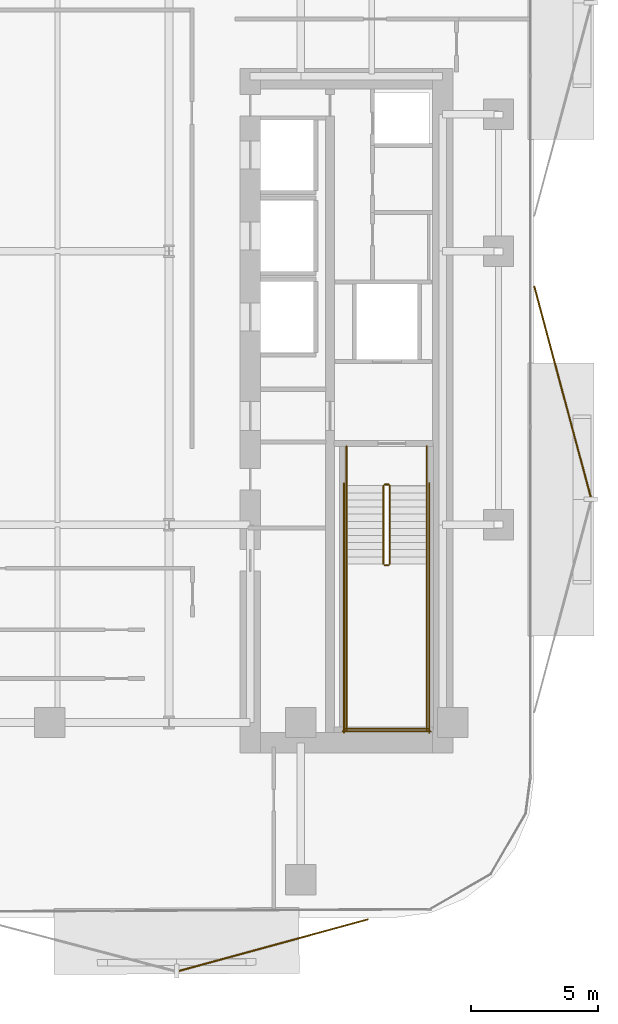
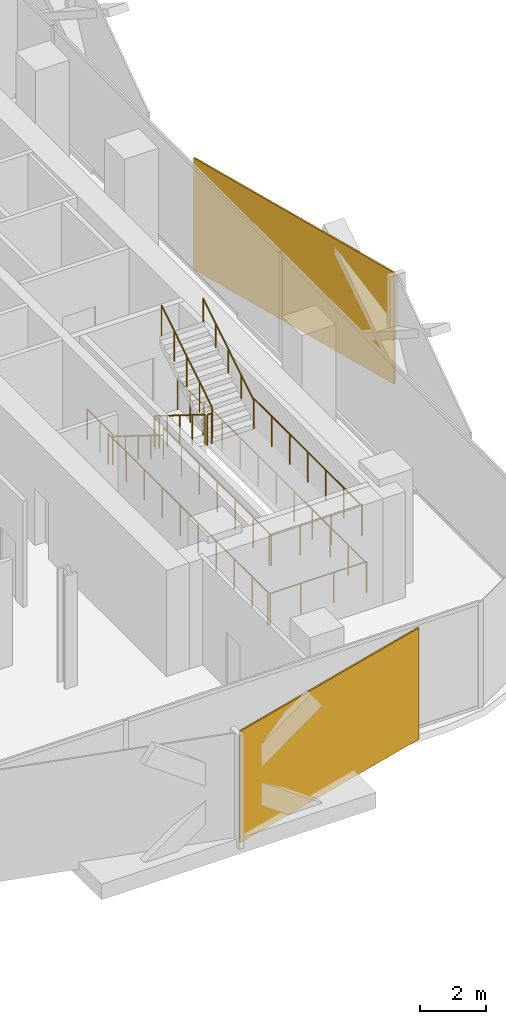
# One storey, part 13 of 15: 14 railings, 2 coverings.
"""IFC4 building model written with IfcOpenShell, lengths in metres."""

from ifc_helpers import new_model, si_unit, direction, frame, origin, origin_2d, place, context, subcontext, project, spatial, rectangle, circle, extrude, material, layer, layer_set, type_object, element, save


model = new_model("IFC4")

# Units and contexts
model_context = context("Model", 3, precision=1e-05, world=origin(), true_north=direction((0.0, 1.0)))
body_context = subcontext(model_context, "Body", "Model", "MODEL_VIEW")
ifc_project = project(units=[si_unit("LENGTHUNIT", "METRE"), si_unit("AREAUNIT", "SQUARE_METRE"), si_unit("VOLUMEUNIT", "CUBIC_METRE"), si_unit("PLANEANGLEUNIT", "RADIAN"), si_unit("MASSUNIT", "GRAM", prefix="KILO")], contexts=[model_context])

# Site, building, storey
site_placement = place(None, origin())
site = spatial("IfcSite", under=ifc_project, at=site_placement, CompositionType="ELEMENT")
building_placement = place(site_placement, origin())
building = spatial("IfcBuilding", under=site, at=building_placement, Name="Khairoan Windgate Tower", CompositionType="ELEMENT")
storey_placement = place(building_placement, frame((0.0, 0.0, 122.60009765625)))
storey = spatial("IfcBuildingStorey", under=building, at=storey_placement, Name="L28", CompositionType="ELEMENT", Elevation=122.60009765625)

# Coverings
ifc_material_1 = material(Name="Anodised Bronze Aluminium 6063-T6", Category="aluminium")
ifc_layer = layer(ifc_material_1, 0.054931640625, Name="Anodised Bronze Aluminium 6063-T6")
ifc_layer_set = layer_set([ifc_layer], Name="Anodised Bronze Aluminium 6063-T6")
covering_type = type_object("IfcCoveringType", Name="Perforated Bronze-Ceramic Folded Solar Screen Cladding BSC-1", PredefinedType="CLADDING", material=ifc_layer_set)
covering_1_placement = place(storey_placement, frame((13.326904296875, -27.384765625, -0.10009765625), z_axis=(0.0, 0.0, 1.0), x_axis=(-0.964649468762, -0.263536339841, 0.0)))
element("IfcCovering", 1, at=covering_1_placement, inside=storey, type_object=covering_type, Name="L28 Folded Bronze Solar Screen Facet 169L", PredefinedType="CLADDING", context=body_context, shape_type="SweptSolid", body=[
    extrude(rectangle(XDim=7.739013671875, YDim=0.054931640625, at=origin_2d()), origin(), (0.0, 0.0, 1.0), 4.139892578125),
])
covering_2_placement = place(storey_placement, frame((24.724609375, -5.542236328125, -0.10009765625), z_axis=(0.0, 0.0, 1.0), x_axis=(0.258819045103, -0.965925826289, 0.0)))
element("IfcCovering", 2, at=covering_2_placement, inside=storey, type_object=covering_type, Name="L28 Folded Bronze Solar Screen Facet 176L", PredefinedType="CLADDING", context=body_context, shape_type="SweptSolid", body=[
    extrude(rectangle(XDim=8.6201171875, YDim=0.054931640625, at=origin_2d()), origin(), (0.0, 0.0, 1.0), 4.139892578125),
])

# Railings
ifc_material_2 = material(Name="Anodised Bronze Aluminium 6063-T6", Category="aluminium")
railing_type_1 = type_object("IfcRailingType", Name="Stair Wall Handrail SHR-900", PredefinedType="HANDRAIL", material=ifc_material_2)
railing_1_placement = place(storey_placement, frame((16.199951171875, -9.260009765625, 0.1748046875)))
element("IfcRailing", 3, at=railing_1_placement, inside=storey, type_object=railing_type_1, Name="L28 ST1 stair handrail 1", PredefinedType="HANDRAIL", context=body_context, shape_type="SweptSolid", body=[
    extrude(circle(Radius=0.02392578125, at=origin_2d()), frame((0.0, 0.0, 0.8759765625), z_axis=(0.0, -0.847998304005, 0.529998940003), x_axis=(1.0, 0.0, 0.0)), (0.0, 0.0, 1.0), 3.632080078125),
    extrude(circle(Radius=0.02099609375, at=origin_2d()), origin(), (0.0, 0.0, 1.0), 0.851806640625),
    extrude(circle(Radius=0.02099609375, at=origin_2d()), frame((0.0, -0.77001953125, 0.481201171875)), (0.0, 0.0, 1.0), 0.851806640625),
    extrude(circle(Radius=0.02099609375, at=origin_2d()), frame((0.0, -1.5400390625, 0.96240234375)), (0.0, 0.0, 1.0), 0.851806640625),
    extrude(circle(Radius=0.02099609375, at=origin_2d()), frame((0.0, -2.31005859375, 1.44384765625)), (0.0, 0.0, 1.0), 0.851806640625),
    extrude(circle(Radius=0.02099609375, at=origin_2d()), frame((0.0, -3.080078125, 1.925048828125)), (0.0, 0.0, 1.0), 0.851806640625),
])
railing_2_placement = place(storey_placement, frame((19.3701171875, -12.340087890625, 2.27490234375)))
element("IfcRailing", 4, at=railing_2_placement, inside=storey, type_object=railing_type_1, Name="L28 ST1 stair handrail 2", PredefinedType="HANDRAIL", context=body_context, shape_type="SweptSolid", body=[
    extrude(circle(Radius=0.02392578125, at=origin_2d()), frame((0.0, 0.0, 0.8759765625), z_axis=(0.0, 0.847998304005, 0.529998940003), x_axis=(-1.0, 0.0, 0.0)), (0.0, 0.0, 1.0), 3.632080078125),
    extrude(circle(Radius=0.02099609375, at=origin_2d()), origin(), (0.0, 0.0, 1.0), 0.851806640625),
    extrude(circle(Radius=0.02099609375, at=origin_2d()), frame((0.0, 0.77001953125, 0.481201171875)), (0.0, 0.0, 1.0), 0.851806640625),
    extrude(circle(Radius=0.02099609375, at=origin_2d()), frame((0.0, 1.5400390625, 0.96240234375)), (0.0, 0.0, 1.0), 0.851806640625),
    extrude(circle(Radius=0.02099609375, at=origin_2d()), frame((0.0, 2.31005859375, 1.44384765625)), (0.0, 0.0, 1.0), 0.851806640625),
    extrude(circle(Radius=0.02099609375, at=origin_2d()), frame((0.0, 3.080078125, 1.925048828125)), (0.0, 0.0, 1.0), 0.851806640625),
])
ifc_material_3 = material(Name="Steel S355", Category="steel")
railing_type_2 = type_object("IfcRailingType", Name="Stairwell Safety Guardrail SGR-1150", PredefinedType="GUARDRAIL", material=ifc_material_3)
railing_3_placement = place(storey_placement, frame((17.659912109375, -9.260009765625, 0.1748046875)))
element("IfcRailing", 5, at=railing_3_placement, inside=storey, type_object=railing_type_2, Name="L28 ST1 stair guard 1", PredefinedType="GUARDRAIL", context=body_context, shape_type="SweptSolid", body=[
    extrude(circle(Radius=0.02392578125, at=origin_2d()), frame((0.0, 0.0, 1.1259765625), z_axis=(0.0, -0.847998304005, 0.529998940003), x_axis=(1.0, 0.0, 0.0)), (0.0, 0.0, 1.0), 3.632080078125),
    extrude(circle(Radius=0.02099609375, at=origin_2d()), origin(), (0.0, 0.0, 1.0), 1.101806640625),
    extrude(circle(Radius=0.02099609375, at=origin_2d()), frame((0.0, -0.77001953125, 0.481201171875)), (0.0, 0.0, 1.0), 1.101806640625),
    extrude(circle(Radius=0.02099609375, at=origin_2d()), frame((0.0, -1.5400390625, 0.96240234375)), (0.0, 0.0, 1.0), 1.101806640625),
    extrude(circle(Radius=0.02099609375, at=origin_2d()), frame((0.0, -2.31005859375, 1.44384765625)), (0.0, 0.0, 1.0), 1.101806640625),
    extrude(circle(Radius=0.02099609375, at=origin_2d()), frame((0.0, -3.080078125, 1.925048828125)), (0.0, 0.0, 1.0), 1.101806640625),
])
railing_4_placement = place(storey_placement, frame((17.7099609375, -12.389892578125, 2.099853515625)))
element("IfcRailing", 6, at=railing_4_placement, inside=storey, type_object=railing_type_2, Name="L28 ST1 stair guard 2", PredefinedType="GUARDRAIL", context=body_context, shape_type="SweptSolid", body=[
    extrude(circle(Radius=0.02392578125, at=origin_2d()), frame((0.0, 0.0, 1.1259765625), z_axis=(1.0, 0.0, 0.0), x_axis=(0.0, 1.0, 0.0)), (0.0, 0.0, 1.0), 0.150146484375),
    extrude(circle(Radius=0.02099609375, at=origin_2d()), origin(), (0.0, 0.0, 1.0), 1.101806640625),
    extrude(circle(Radius=0.02099609375, at=origin_2d()), frame((0.150146484375, 0.0, 0.0)), (0.0, 0.0, 1.0), 1.101806640625),
])
for number, where, name in (
    (7, (16.199951171875, -12.340087890625, 2.099853515625), "L28 ST1 stair guard 3"),
    (8, (19.3701171875, -12.340087890625, 2.099853515625), "L28 ST1 stair guard 4"),
):
    element("IfcRailing", number, at=place(storey_placement, frame(where)), inside=storey, type_object=railing_type_2, Name=name, PredefinedType="GUARDRAIL", context=body_context, shape_type="SweptSolid", body=[
        extrude(circle(Radius=0.02392578125, at=origin_2d()), frame((0.0, 0.0, 1.1259765625), z_axis=(0.0, -1.0, 0.0), x_axis=(1.0, 0.0, 0.0)), (0.0, 0.0, 1.0), 6.559814453125),
        extrude(circle(Radius=0.02099609375, at=origin_2d()), origin(), (0.0, 0.0, 1.0), 1.101806640625),
        extrude(circle(Radius=0.02099609375, at=origin_2d()), frame((0.0, -1.09326171875, 0.0)), (0.0, 0.0, 1.0), 1.101806640625),
        extrude(circle(Radius=0.02099609375, at=origin_2d()), frame((0.0, -2.1865234375, 0.0)), (0.0, 0.0, 1.0), 1.101806640625),
        extrude(circle(Radius=0.02099609375, at=origin_2d()), frame((0.0, -3.27978515625, 0.0)), (0.0, 0.0, 1.0), 1.101806640625),
        extrude(circle(Radius=0.02099609375, at=origin_2d()), frame((0.0, -4.373291015625, 0.0)), (0.0, 0.0, 1.0), 1.101806640625),
        extrude(circle(Radius=0.02099609375, at=origin_2d()), frame((0.0, -5.466552734375, 0.0)), (0.0, 0.0, 1.0), 1.101806640625),
        extrude(circle(Radius=0.02099609375, at=origin_2d()), frame((0.0, -6.559814453125, 0.0)), (0.0, 0.0, 1.0), 1.101806640625),
    ])
railing_5_placement = place(storey_placement, frame((16.14990234375, -18.85009765625, 2.099853515625)))
element("IfcRailing", 9, at=railing_5_placement, inside=storey, type_object=railing_type_2, Name="L28 ST1 stair guard 5", PredefinedType="GUARDRAIL", context=body_context, shape_type="SweptSolid", body=[
    extrude(circle(Radius=0.02392578125, at=origin_2d()), frame((0.0, 0.0, 1.1259765625), z_axis=(1.0, 0.0, 0.0), x_axis=(0.0, 1.0, 0.0)), (0.0, 0.0, 1.0), 3.27001953125),
    extrude(circle(Radius=0.02099609375, at=origin_2d()), origin(), (0.0, 0.0, 1.0), 1.101806640625),
    extrude(circle(Radius=0.02099609375, at=origin_2d()), frame((1.090087890625, 0.0, 0.0)), (0.0, 0.0, 1.0), 1.101806640625),
    extrude(circle(Radius=0.02099609375, at=origin_2d()), frame((2.179931640625, 0.0, 0.0)), (0.0, 0.0, 1.0), 1.101806640625),
    extrude(circle(Radius=0.02099609375, at=origin_2d()), frame((3.27001953125, 0.0, 0.0)), (0.0, 0.0, 1.0), 1.101806640625),
])
railing_6_placement = place(storey_placement, frame((17.909912109375, -12.340087890625, 2.27490234375)))
element("IfcRailing", 10, at=railing_6_placement, inside=storey, type_object=railing_type_2, Name="L28 ST1 stair guard 6", PredefinedType="GUARDRAIL", context=body_context, shape_type="SweptSolid", body=[
    extrude(circle(Radius=0.02392578125, at=origin_2d()), frame((0.0, 0.0, 1.1259765625), z_axis=(0.0, 0.847998304005, 0.529998940003), x_axis=(-1.0, 0.0, 0.0)), (0.0, 0.0, 1.0), 3.632080078125),
    extrude(circle(Radius=0.02099609375, at=origin_2d()), origin(), (0.0, 0.0, 1.0), 1.101806640625),
    extrude(circle(Radius=0.02099609375, at=origin_2d()), frame((0.0, 0.77001953125, 0.481201171875)), (0.0, 0.0, 1.0), 1.101806640625),
    extrude(circle(Radius=0.02099609375, at=origin_2d()), frame((0.0, 1.5400390625, 0.96240234375)), (0.0, 0.0, 1.0), 1.101806640625),
    extrude(circle(Radius=0.02099609375, at=origin_2d()), frame((0.0, 2.31005859375, 1.44384765625)), (0.0, 0.0, 1.0), 1.101806640625),
    extrude(circle(Radius=0.02099609375, at=origin_2d()), frame((0.0, 3.080078125, 1.925048828125)), (0.0, 0.0, 1.0), 1.101806640625),
])
railing_7_placement = place(storey_placement, frame((17.7099609375, -9.2099609375, 0.0)))
element("IfcRailing", 11, at=railing_7_placement, inside=storey, type_object=railing_type_2, Name="L28 ST1 stair guard 7", PredefinedType="GUARDRAIL", context=body_context, shape_type="SweptSolid", body=[
    extrude(circle(Radius=0.02392578125, at=origin_2d()), frame((0.0, 0.0, 1.1259765625), z_axis=(1.0, 0.0, 0.0), x_axis=(0.0, 1.0, 0.0)), (0.0, 0.0, 1.0), 0.150146484375),
    extrude(circle(Radius=0.02099609375, at=origin_2d()), origin(), (0.0, 0.0, 1.0), 1.101806640625),
    extrude(circle(Radius=0.02099609375, at=origin_2d()), frame((0.150146484375, 0.0, 0.0)), (0.0, 0.0, 1.0), 1.101806640625),
])
for number, where, name in (
    (12, (16.199951171875, -7.699951171875, 0.0), "L28 ST1 stair guard 8"),
    (13, (19.3701171875, -7.699951171875, 0.0), "L28 ST1 stair guard 9"),
):
    element("IfcRailing", number, at=place(storey_placement, frame(where)), inside=storey, type_object=railing_type_2, Name=name, PredefinedType="GUARDRAIL", context=body_context, shape_type="SweptSolid", body=[
        extrude(circle(Radius=0.02392578125, at=origin_2d()), frame((0.0, 0.0, 1.1259765625), z_axis=(0.0, -1.0, 0.0), x_axis=(1.0, 0.0, 0.0)), (0.0, 0.0, 1.0), 1.56005859375),
        extrude(circle(Radius=0.02099609375, at=origin_2d()), origin(), (0.0, 0.0, 1.0), 1.101806640625),
        extrude(circle(Radius=0.02099609375, at=origin_2d()), frame((0.0, -0.780029296875, 0.0)), (0.0, 0.0, 1.0), 1.101806640625),
        extrude(circle(Radius=0.02099609375, at=origin_2d()), frame((0.0, -1.56005859375, 0.0)), (0.0, 0.0, 1.0), 1.101806640625),
    ])
for number, where, name in (
    (14, (16.10009765625, -9.159912109375, 0.0), "L28 ST1 stair guard 10"),
    (15, (19.469970703125, -9.159912109375, 0.0), "L28 ST1 stair guard 11"),
):
    element("IfcRailing", number, at=place(storey_placement, frame(where)), inside=storey, type_object=railing_type_2, Name=name, PredefinedType="GUARDRAIL", context=body_context, shape_type="SweptSolid", body=[
        extrude(circle(Radius=0.02392578125, at=origin_2d()), frame((0.0, 0.0, 1.1259765625), z_axis=(0.0, -1.0, 0.0), x_axis=(1.0, 0.0, 0.0)), (0.0, 0.0, 1.0), 9.840087890625),
        extrude(circle(Radius=0.02099609375, at=origin_2d()), origin(), (0.0, 0.0, 1.0), 1.101806640625),
        extrude(circle(Radius=0.02099609375, at=origin_2d()), frame((0.0, -1.09326171875, 0.0)), (0.0, 0.0, 1.0), 1.101806640625),
        extrude(circle(Radius=0.02099609375, at=origin_2d()), frame((0.0, -2.186767578125, 0.0)), (0.0, 0.0, 1.0), 1.101806640625),
        extrude(circle(Radius=0.02099609375, at=origin_2d()), frame((0.0, -3.280029296875, 0.0)), (0.0, 0.0, 1.0), 1.101806640625),
        extrude(circle(Radius=0.02099609375, at=origin_2d()), frame((0.0, -4.373291015625, 0.0)), (0.0, 0.0, 1.0), 1.101806640625),
        extrude(circle(Radius=0.02099609375, at=origin_2d()), frame((0.0, -5.466796875, 0.0)), (0.0, 0.0, 1.0), 1.101806640625),
        extrude(circle(Radius=0.02099609375, at=origin_2d()), frame((0.0, -6.56005859375, 0.0)), (0.0, 0.0, 1.0), 1.101806640625),
        extrude(circle(Radius=0.02099609375, at=origin_2d()), frame((0.0, -7.6533203125, 0.0)), (0.0, 0.0, 1.0), 1.101806640625),
        extrude(circle(Radius=0.02099609375, at=origin_2d()), frame((0.0, -8.746826171875, 0.0)), (0.0, 0.0, 1.0), 1.101806640625),
        extrude(circle(Radius=0.02099609375, at=origin_2d()), frame((0.0, -9.840087890625, 0.0)), (0.0, 0.0, 1.0), 1.101806640625),
    ])
railing_8_placement = place(storey_placement, frame((16.050048828125, -18.949951171875, 0.0)))
element("IfcRailing", 16, at=railing_8_placement, inside=storey, type_object=railing_type_2, Name="L28 ST1 stair guard 12", PredefinedType="GUARDRAIL", context=body_context, shape_type="SweptSolid", body=[
    extrude(circle(Radius=0.02392578125, at=origin_2d()), frame((0.0, 0.0, 1.1259765625), z_axis=(1.0, 0.0, 0.0), x_axis=(0.0, 1.0, 0.0)), (0.0, 0.0, 1.0), 3.469970703125),
    extrude(circle(Radius=0.02099609375, at=origin_2d()), origin(), (0.0, 0.0, 1.0), 1.101806640625),
    extrude(circle(Radius=0.02099609375, at=origin_2d()), frame((1.15673828125, 0.0, 0.0)), (0.0, 0.0, 1.0), 1.101806640625),
    extrude(circle(Radius=0.02099609375, at=origin_2d()), frame((2.313232421875, 0.0, 0.0)), (0.0, 0.0, 1.0), 1.101806640625),
    extrude(circle(Radius=0.02099609375, at=origin_2d()), frame((3.469970703125, 0.0, 0.0)), (0.0, 0.0, 1.0), 1.101806640625),
])

save(model, "model.ifc")
